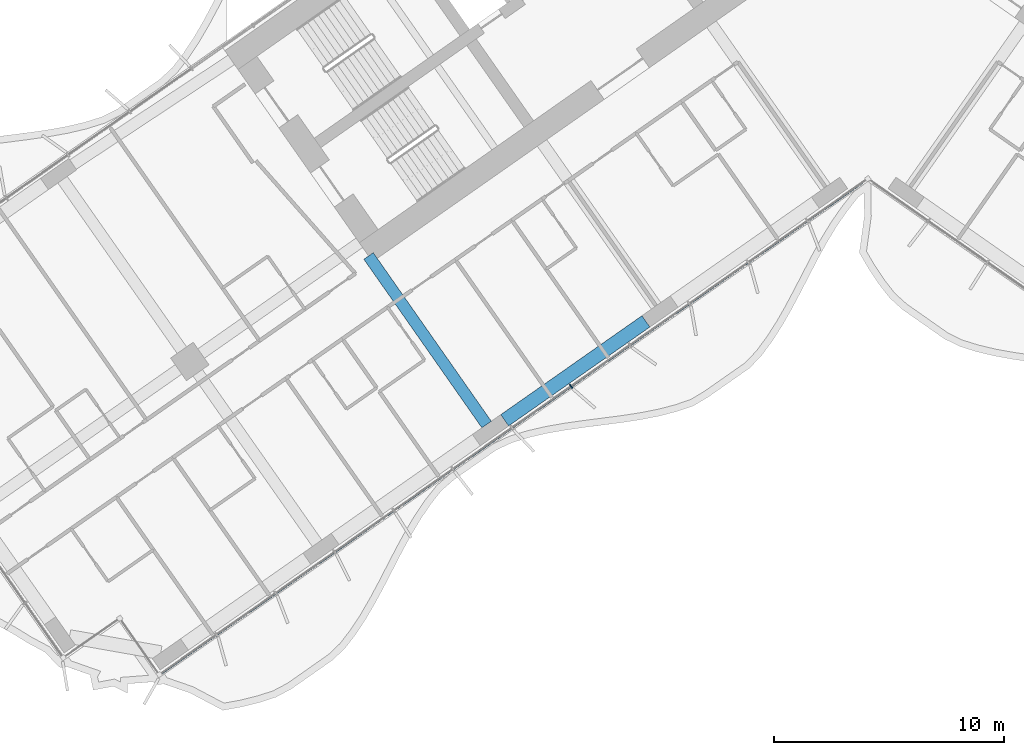
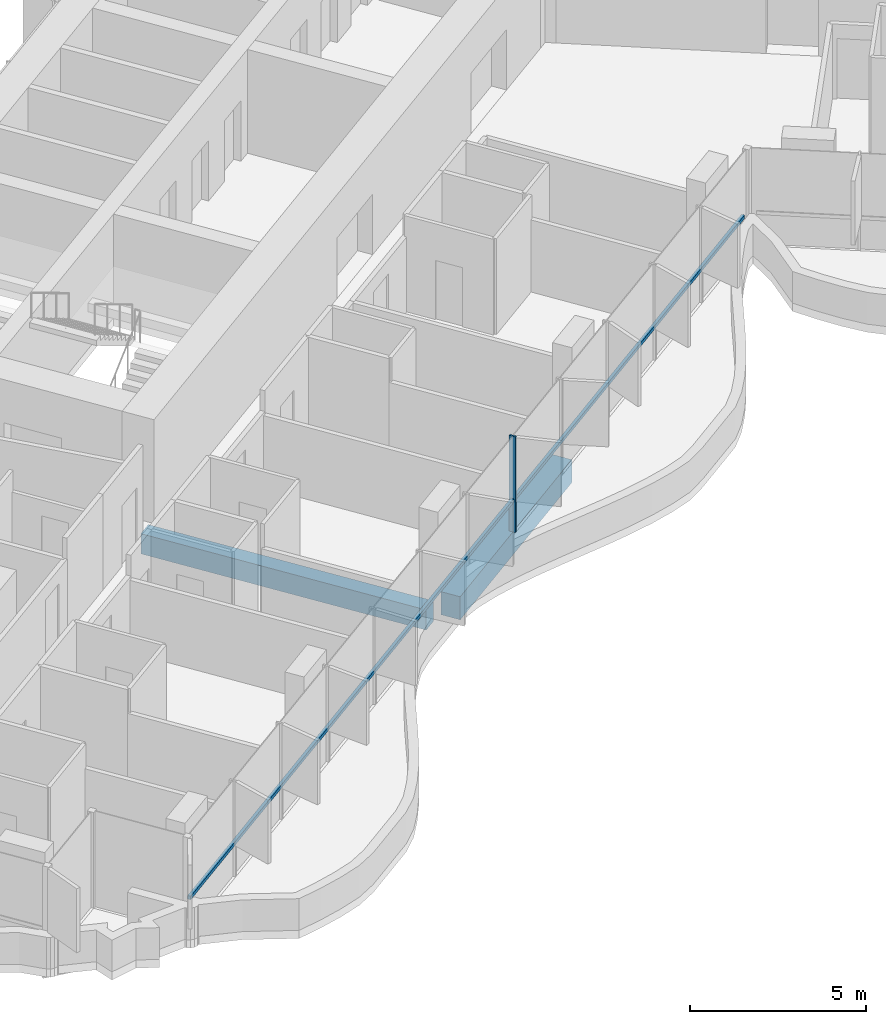
# One storey, part 3 of 25: 2 beams, 2 members, 1 element without a shape of its own.
"""IFC4 building model written with IfcOpenShell, lengths in metres."""

from ifc_helpers import new_model, si_unit, direction, frame, origin, origin_2d, place, context, subcontext, project, spatial, rectangle, extrude, material, material_profile, profile_set, type_object, element, aggregate, save


model = new_model("IFC4")

# Units and contexts
model_context = context("Model", 3, precision=1e-05, world=origin(), true_north=direction((0.0, 1.0)))
body_context = subcontext(model_context, "Body", "Model", "MODEL_VIEW")
ifc_project = project(units=[si_unit("LENGTHUNIT", "METRE"), si_unit("AREAUNIT", "SQUARE_METRE"), si_unit("VOLUMEUNIT", "CUBIC_METRE"), si_unit("PLANEANGLEUNIT", "RADIAN"), si_unit("MASSUNIT", "GRAM", prefix="KILO")], contexts=[model_context])

# Site, building, storey
site_placement = place(None, origin())
site = spatial("IfcSite", under=ifc_project, at=site_placement, CompositionType="ELEMENT")
building_placement = place(site_placement, origin())
building = spatial("IfcBuilding", under=site, at=building_placement, Name="Tel Ilan Convention Tower", CompositionType="ELEMENT")
storey_placement = place(building_placement, frame((0.0, 0.0, 54.5)))
storey = spatial("IfcBuildingStorey", under=building, at=storey_placement, Name="L08", CompositionType="ELEMENT", Elevation=54.5)

# Beams
ifc_material_1 = material(Name="Concrete C40/50", Category="concrete")
ifc_material_profile_1 = material_profile(ifc_material_1, rectangle(XDim=0.5, YDim=0.699951171875, at=origin_2d()), Name="RC 500x700")
ifc_profile_set_1 = profile_set([ifc_material_profile_1], Name="Concrete C40/50")
beam_type_1 = type_object("IfcBeamType", Name="Beam RC 500x700 Concrete C40/50", PredefinedType="BEAM", material=ifc_profile_set_1)
beam_1_placement = place(storey_placement, frame((-16.58203125, -23.391357421875, -0.6298828125), z_axis=(-0.573584999642, 0.819146048141, 0.0), x_axis=(-0.819146048141, -0.573584999642, 0.0)))
element("IfcBeam", 1, at=beam_1_placement, inside=storey, type_object=beam_type_1, Name="L08 beam W-W-F3-core", PredefinedType="BEAM", context=body_context, shape_type="SweptSolid", body=[
    extrude(rectangle(XDim=0.5, YDim=0.699951171875, at=origin_2d()), origin(), (0.0, 0.0, 1.0), 8.949951171875),
])
ifc_material_2 = material(Name="Concrete C40/50", Category="concrete")
ifc_material_profile_2 = material_profile(ifc_material_2, rectangle(XDim=0.60009765625, YDim=0.800048828125, at=origin_2d()), Name="RC 600x800")
ifc_profile_set_2 = profile_set([ifc_material_profile_2], Name="Concrete C40/50")
beam_type_2 = type_object("IfcBeamType", Name="Beam RC 600x800 Concrete C40/50", PredefinedType="BEAM", material=ifc_profile_set_2)
beam_2_placement = place(storey_placement, frame((-9.652099609375, -18.905029296875, -0.679931640625), z_axis=(-0.81915238829, -0.573575945067, 0.0), x_axis=(0.573575945067, -0.81915238829, 0.0)))
element("IfcBeam", 2, at=beam_2_placement, inside=storey, type_object=beam_type_2, Name="L08 beam W-W-F2-W-F3", PredefinedType="BEAM", context=body_context, shape_type="SweptSolid", body=[
    extrude(rectangle(XDim=0.60009765625, YDim=0.800048828125, at=origin_2d()), origin(), (0.0, 0.0, 1.0), 7.5),
])

# Curtain wall, members
ifc_material_3 = material(Name="Aluminium, bronze anodised", Category="aluminium")
curtain_wall_type = type_object("IfcCurtainWallType", Name="CW1 UNITISED CURTAIN WALL, HOTEL TINTED GLASS", PredefinedType="NOTDEFINED", material=ifc_material_3)
curtain_wall_placement = place(storey_placement, origin())
curtain_wall = element("IfcCurtainWall", 3, at=curtain_wall_placement, inside=storey, type_object=curtain_wall_type, Name="Curtain wall CW1-11.02", PredefinedType="NOTDEFINED")
ifc_material_4 = material(Name="Aluminium, bronze anodised", Category="aluminium")
ifc_material_profile_3 = material_profile(ifc_material_4, rectangle(XDim=0.06005859375, YDim=0.199951171875, at=origin_2d()), Name="CW MULLION 60x200")
ifc_profile_set_3 = profile_set([ifc_material_profile_3], Name="Aluminium, bronze anodised")
member_type_1 = type_object("IfcMemberType", Name="CW MULLION 60x200", PredefinedType="MULLION", material=ifc_profile_set_3)
member_1_placement = place(storey_placement, frame((-12.906982421875, -21.733642578125, 0.0), z_axis=(0.0, 0.0, 1.0), x_axis=(0.819152044289, 0.573576436351, 0.0)))
member_1 = element("IfcMember", 4, at=member_1_placement, type_object=member_type_1, Name="Mullion", PredefinedType="MULLION", context=body_context, shape_type="SweptSolid", body=[
    extrude(rectangle(XDim=0.06005859375, YDim=0.199951171875, at=origin_2d()), origin(), (0.0, 0.0, 1.0), 3.320068359375),
])
ifc_material_5 = material(Name="Aluminium, bronze anodised", Category="aluminium")
ifc_material_profile_4 = material_profile(ifc_material_5, rectangle(XDim=0.10009765625, YDim=0.1201171875, at=origin_2d()), Name="CW TRANSOM 100x120")
ifc_profile_set_4 = profile_set([ifc_material_profile_4], Name="Aluminium, bronze anodised")
member_type_2 = type_object("IfcMemberType", Name="CW TRANSOM 100x120", PredefinedType="USERDEFINED", material=ifc_profile_set_4)
member_2_placement = place(storey_placement, frame((-30.73291015625, -34.21533203125, 1.10009765625), z_axis=(0.819152467103, 0.57357583251, 0.0), x_axis=(-0.57357583251, 0.819152467103, 0.0)))
member_2 = element("IfcMember", 5, at=member_2_placement, type_object=member_type_2, Name="Transom", ObjectType="TRANSOM", PredefinedType="USERDEFINED", context=body_context, shape_type="SweptSolid", body=[
    extrude(rectangle(XDim=0.10009765625, YDim=0.1201171875, at=origin_2d()), origin(), (0.0, 0.0, 1.0), 37.247802734375),
])
aggregate(curtain_wall, [member_1, member_2])

save(model, "model.ifc")
